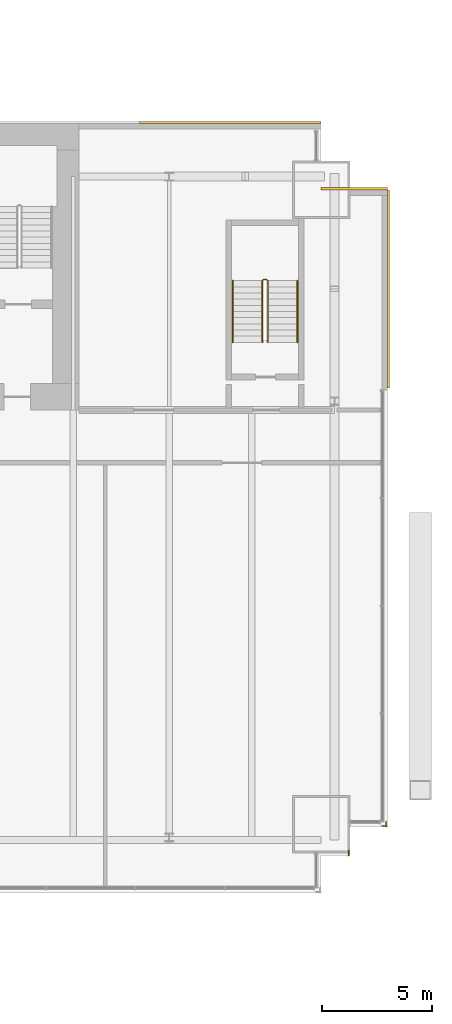
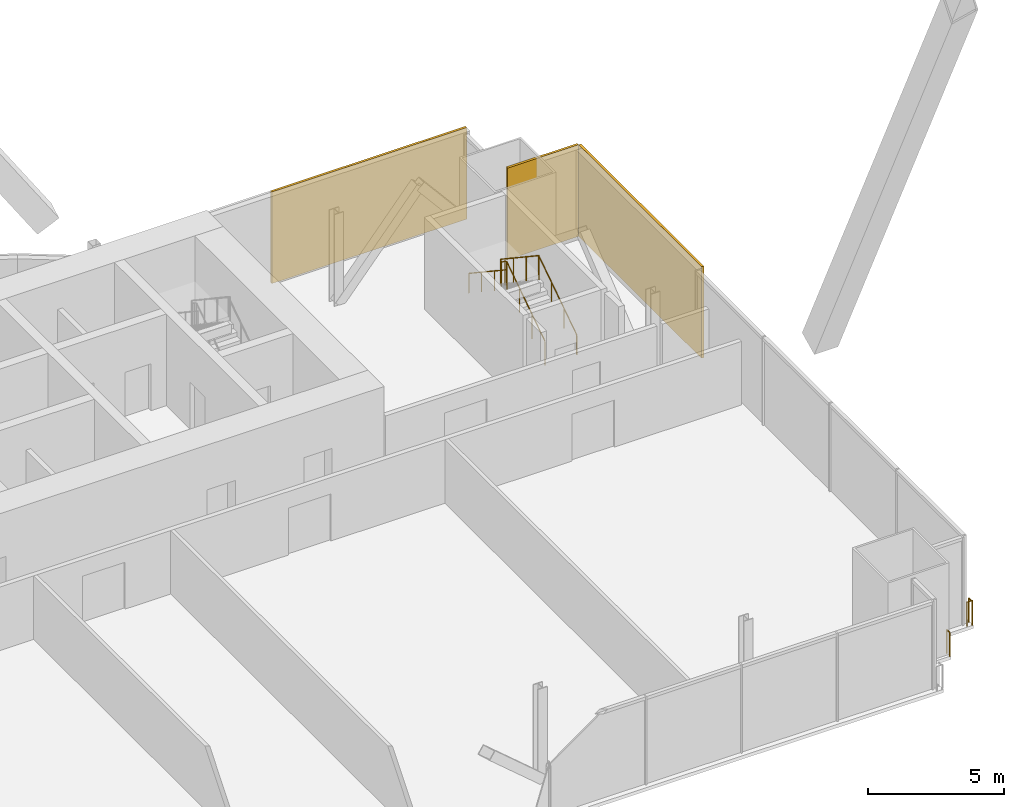
# One storey, part 24 of 24: 5 railings, 3 coverings.
"""IFC4 building model written with IfcOpenShell, lengths in metres."""

from ifc_helpers import new_model, si_unit, direction, frame, origin, origin_2d, place, context, subcontext, project, spatial, rectangle, circle, extrude, material, layer, layer_set, type_object, element, save


model = new_model("IFC4")

# Units and contexts
model_context = context("Model", 3, precision=1e-05, world=origin(), true_north=direction((0.0, 1.0)))
body_context = subcontext(model_context, "Body", "Model", "MODEL_VIEW")
ifc_project = project(units=[si_unit("LENGTHUNIT", "METRE"), si_unit("AREAUNIT", "SQUARE_METRE"), si_unit("VOLUMEUNIT", "CUBIC_METRE"), si_unit("PLANEANGLEUNIT", "RADIAN"), si_unit("MASSUNIT", "GRAM", prefix="KILO")], contexts=[model_context])

# Site, building, storey
site_placement = place(None, origin())
site = spatial("IfcSite", under=ifc_project, at=site_placement, CompositionType="ELEMENT")
building_placement = place(site_placement, origin())
building = spatial("IfcBuilding", under=site, at=building_placement, Name="Bicima Exchange Tower", CompositionType="ELEMENT")
storey_placement = place(building_placement, frame((0.0, 0.0, 160.89990234375)))
storey = spatial("IfcBuildingStorey", under=building, at=storey_placement, Name="L35", CompositionType="ELEMENT", Elevation=160.89990234375)

# Coverings
ifc_material_1 = material(Name="Bronze metal cladding")
ifc_layer_1 = layer(ifc_material_1, 0.004)
ifc_material_2 = material(Name="Ventilated cavity")
ifc_layer_2 = layer(ifc_material_2, 0.06)
ifc_material_3 = material(Name="Galvanised steel rail and mineral wool", Category="steel")
ifc_layer_3 = layer(ifc_material_3, 0.036)
ifc_layer_set = layer_set([ifc_layer_1, ifc_layer_2, ifc_layer_3], Name="Ventilated cavity")
covering_type = type_object("IfcCoveringType", Name="Bronze metal cladding panel 100", PredefinedType="CLADDING", material=ifc_layer_set)
covering_1_placement = place(storey_placement, frame((28.875, 0.050048828125, -0.14990234375), z_axis=(0.0, 0.0, 1.0), x_axis=(-1.0, 0.0, 0.0)))
element("IfcCovering", 1, at=covering_1_placement, inside=storey, type_object=covering_type, Name="Bronze cladding L35 1.1", PredefinedType="CLADDING", context=body_context, shape_type="SweptSolid", body=[
    extrude(rectangle(XDim=8.25, YDim=0.10009765625, at=origin_2d()), origin(), (0.0, 0.0, 1.0), 4.10009765625),
])
covering_2_placement = place(storey_placement, frame((36.050048828125, -7.5, -0.14990234375), z_axis=(0.0, 0.0, 1.0), x_axis=(0.0, 1.0, 0.0)))
element("IfcCovering", 2, at=covering_2_placement, inside=storey, type_object=covering_type, Name="Bronze cladding L35 50.1", PredefinedType="CLADDING", context=body_context, shape_type="SweptSolid", body=[
    extrude(rectangle(XDim=9.0, YDim=0.10009765625, at=origin_2d()), origin(), (0.0, 0.0, 1.0), 4.10009765625),
])
covering_3_placement = place(storey_placement, frame((34.5, -2.949951171875, -0.14990234375), z_axis=(0.0, 0.0, 1.0), x_axis=(-1.0, 0.0, 0.0)))
element("IfcCovering", 3, at=covering_3_placement, inside=storey, type_object=covering_type, Name="Bronze cladding L35 51.1", PredefinedType="CLADDING", context=body_context, shape_type="SweptSolid", body=[
    extrude(rectangle(XDim=3.0, YDim=0.10009765625, at=origin_2d()), origin(), (0.0, 0.0, 1.0), 4.10009765625),
])

# Railings
ifc_material_4 = material(Name="Stainless steel and bonded safety glass", Category="steel")
railing_type_1 = type_object("IfcRailingType", Name="Edge guard 1100", PredefinedType="GUARDRAIL", material=ifc_material_4)
railing_1_placement = place(storey_placement, frame((35.949951171875, -31.675048828125, 0.0)))
element("IfcRailing", 4, at=railing_1_placement, inside=storey, type_object=railing_type_1, Name="Edge guard L35 174", PredefinedType="GUARDRAIL", context=body_context, shape_type="SweptSolid", body=[
    extrude(circle(Radius=0.02392578125, at=origin_2d()), frame((0.0, 0.0, 1.076171875), z_axis=(0.0, -1.0, 0.0), x_axis=(1.0, 0.0, 0.0)), (0.0, 0.0, 1.0), 0.2490234375),
    extrude(circle(Radius=0.02392578125, at=origin_2d()), frame((0.0, -0.2490234375, 1.076171875), z_axis=(0.707106781187, 0.707106781187, 0.0), x_axis=(-0.707106781187, 0.707106781187, 0.0)), (0.0, 0.0, 1.0), 0.07080078125),
    extrude(circle(Radius=0.02392578125, at=origin_2d()), frame((0.050048828125, -0.198974609375, 1.076171875), z_axis=(-1.0, 0.0, 0.0), x_axis=(0.0, -1.0, 0.0)), (0.0, 0.0, 1.0), 0.242919921875),
    extrude(circle(Radius=0.02099609375, at=origin_2d()), origin(), (0.0, 0.0, 1.0), 1.052001953125),
    extrude(circle(Radius=0.02099609375, at=origin_2d()), frame((0.0, -0.2490234375, 0.0)), (0.0, 0.0, 1.0), 1.052001953125),
    extrude(circle(Radius=0.02099609375, at=origin_2d()), frame((0.050048828125, -0.198974609375, 0.0)), (0.0, 0.0, 1.0), 1.052001953125),
    extrude(circle(Radius=0.02099609375, at=origin_2d()), frame((-0.19287109375, -0.198974609375, 0.0)), (0.0, 0.0, 1.0), 1.052001953125),
])
railing_2_placement = place(storey_placement, frame((34.25, -33.007080078125, 0.0)))
element("IfcRailing", 5, at=railing_2_placement, inside=storey, type_object=railing_type_1, Name="Edge guard L35 175", PredefinedType="GUARDRAIL", context=body_context, shape_type="SweptSolid", body=[
    extrude(circle(Radius=0.02392578125, at=origin_2d()), frame((0.0, 0.0, 1.076171875), z_axis=(0.0, -1.0, 0.0), x_axis=(1.0, 0.0, 0.0)), (0.0, 0.0, 1.0), 0.217041015625),
    extrude(circle(Radius=0.02099609375, at=origin_2d()), origin(), (0.0, 0.0, 1.0), 1.052001953125),
    extrude(circle(Radius=0.02099609375, at=origin_2d()), frame((0.0, -0.217041015625, 0.0)), (0.0, 0.0, 1.0), 1.052001953125),
])
ifc_material_5 = material(Name="Stainless steel", Category="steel")
railing_type_2 = type_object("IfcRailingType", Name="Stair guard 1100", PredefinedType="GUARDRAIL", material=ifc_material_5)
railing_3_placement = place(storey_placement, frame((30.574951171875, -9.925048828125, 0.1865234375)))
element("IfcRailing", 6, at=railing_3_placement, inside=storey, type_object=railing_type_2, Name="L35 ST-EE stair guard 1", PredefinedType="GUARDRAIL", context=body_context, shape_type="SweptSolid", body=[
    extrude(circle(Radius=0.02392578125, at=origin_2d()), frame((0.0, 0.0, 1.076171875), z_axis=(0.0, 0.832485552168, 0.554046753832), x_axis=(-1.0, 0.0, 0.0)), (0.0, 0.0, 1.0), 3.363525390625),
    extrude(circle(Radius=0.02392578125, at=origin_2d()), frame((0.0, 2.800048828125, 2.939453125), z_axis=(-0.707106781187, 0.707106781187, 0.0), x_axis=(-0.707106781187, -0.707106781187, 0.0)), (0.0, 0.0, 1.0), 0.07080078125),
    extrude(circle(Radius=0.02392578125, at=origin_2d()), frame((-0.050048828125, 2.85009765625, 2.939453125), z_axis=(-1.0, 0.0, 0.0), x_axis=(0.0, -1.0, 0.0)), (0.0, 0.0, 1.0), 0.14990234375),
    extrude(circle(Radius=0.02392578125, at=origin_2d()), frame((-0.199951171875, 2.85009765625, 2.939453125), z_axis=(-0.250869701741, -0.250869701741, 0.934948546978), x_axis=(0.707106781187, -0.707106781187, 0.0)), (0.0, 0.0, 1.0), 0.199462890625),
    extrude(circle(Radius=0.02392578125, at=origin_2d()), frame((-0.25, 2.800048828125, 3.1259765625), z_axis=(0.0, -0.832485552168, 0.554046753832), x_axis=(1.0, 0.0, 0.0)), (0.0, 0.0, 1.0), 3.363525390625),
    extrude(circle(Radius=0.02099609375, at=origin_2d()), origin(), (0.0, 0.0, 1.0), 1.052001953125),
    extrude(circle(Radius=0.02099609375, at=origin_2d()), frame((0.0, 0.933349609375, 0.62109375)), (0.0, 0.0, 1.0), 1.052001953125),
    extrude(circle(Radius=0.02099609375, at=origin_2d()), frame((0.0, 1.86669921875, 1.242431640625)), (0.0, 0.0, 1.0), 1.052001953125),
    extrude(circle(Radius=0.02099609375, at=origin_2d()), frame((0.0, 2.800048828125, 1.863525390625)), (0.0, 0.0, 1.0), 1.052001953125),
    extrude(circle(Radius=0.02099609375, at=origin_2d()), frame((-0.050048828125, 2.85009765625, 1.863525390625)), (0.0, 0.0, 1.0), 1.052001953125),
    extrude(circle(Radius=0.02099609375, at=origin_2d()), frame((-0.199951171875, 2.85009765625, 1.863525390625)), (0.0, 0.0, 1.0), 1.052001953125),
    extrude(circle(Radius=0.02099609375, at=origin_2d()), frame((-0.25, 2.800048828125, 2.050048828125)), (0.0, 0.0, 1.0), 1.052001953125),
    extrude(circle(Radius=0.02099609375, at=origin_2d()), frame((-0.25, 1.86669921875, 2.671142578125)), (0.0, 0.0, 1.0), 1.052001953125),
    extrude(circle(Radius=0.02099609375, at=origin_2d()), frame((-0.25, 0.933349609375, 3.29248046875)), (0.0, 0.0, 1.0), 1.052001953125),
    extrude(circle(Radius=0.02099609375, at=origin_2d()), frame((-0.25, 0.0, 3.91357421875)), (0.0, 0.0, 1.0), 1.052001953125),
])
railing_type_3 = type_object("IfcRailingType", Name="Stair handrail 900", PredefinedType="HANDRAIL", material=ifc_material_5)
railing_4_placement = place(storey_placement, frame((31.925048828125, -9.925048828125, 0.1865234375)))
element("IfcRailing", 7, at=railing_4_placement, inside=storey, type_object=railing_type_3, Name="L35 ST-EE stair handrail 1", PredefinedType="HANDRAIL", context=body_context, shape_type="SweptSolid", body=[
    extrude(circle(Radius=0.02392578125, at=origin_2d()), frame((0.0, 0.0, 0.8759765625), z_axis=(0.0, 0.832485552168, 0.554046753832), x_axis=(-1.0, 0.0, 0.0)), (0.0, 0.0, 1.0), 3.363525390625),
    extrude(circle(Radius=0.02099609375, at=origin_2d()), origin(), (0.0, 0.0, 1.0), 0.851806640625),
    extrude(circle(Radius=0.02099609375, at=origin_2d()), frame((0.0, 0.933349609375, 0.62109375)), (0.0, 0.0, 1.0), 0.851806640625),
    extrude(circle(Radius=0.02099609375, at=origin_2d()), frame((0.0, 1.86669921875, 1.242431640625)), (0.0, 0.0, 1.0), 0.851806640625),
    extrude(circle(Radius=0.02099609375, at=origin_2d()), frame((0.0, 2.800048828125, 1.863525390625)), (0.0, 0.0, 1.0), 0.851806640625),
])
railing_5_placement = place(storey_placement, frame((28.97509765625, -7.125, 2.27685546875)))
element("IfcRailing", 8, at=railing_5_placement, inside=storey, type_object=railing_type_3, Name="L35 ST-EE stair handrail 2", PredefinedType="HANDRAIL", context=body_context, shape_type="SweptSolid", body=[
    extrude(circle(Radius=0.02392578125, at=origin_2d()), frame((0.0, 0.0, 0.8759765625), z_axis=(0.0, -0.832485552168, 0.554046753832), x_axis=(1.0, 0.0, 0.0)), (0.0, 0.0, 1.0), 3.363525390625),
    extrude(circle(Radius=0.02099609375, at=origin_2d()), origin(), (0.0, 0.0, 1.0), 0.851806640625),
    extrude(circle(Radius=0.02099609375, at=origin_2d()), frame((0.0, -0.933349609375, 0.62109375)), (0.0, 0.0, 1.0), 0.851806640625),
    extrude(circle(Radius=0.02099609375, at=origin_2d()), frame((0.0, -1.86669921875, 1.242431640625)), (0.0, 0.0, 1.0), 0.851806640625),
    extrude(circle(Radius=0.02099609375, at=origin_2d()), frame((0.0, -2.800048828125, 1.863525390625)), (0.0, 0.0, 1.0), 0.851806640625),
])

save(model, "model.ifc")
